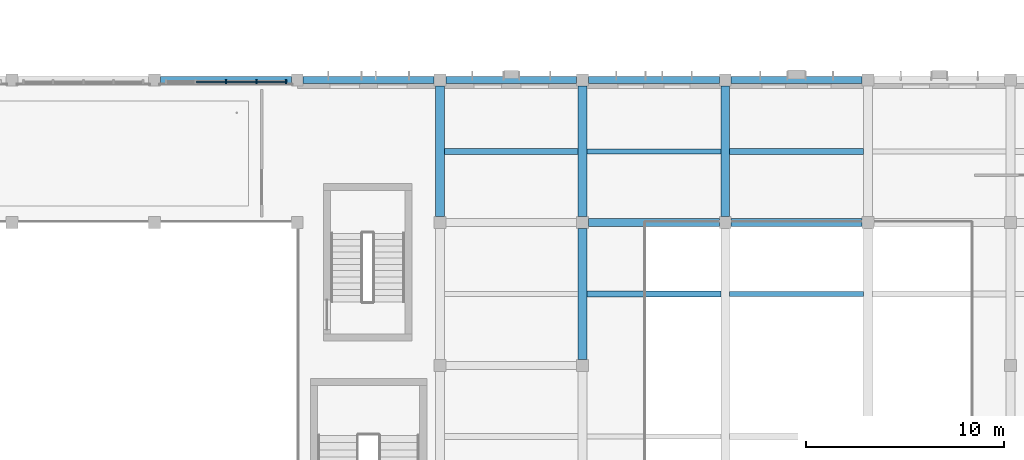
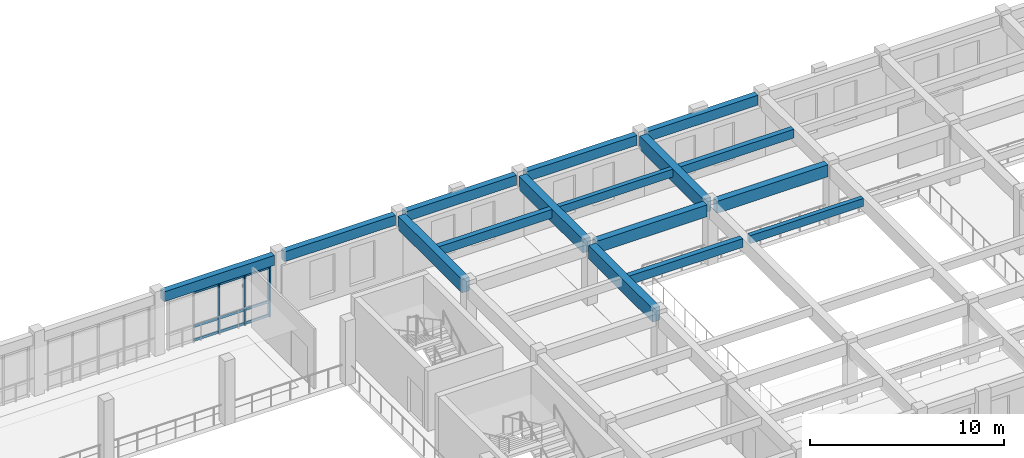
# One storey, part 14 of 88: 16 beams, 12 members, 1 element without a shape of its own.
"""IFC4 building model written with IfcOpenShell, lengths in metres."""

from ifc_helpers import new_model, si_unit, direction, frame, origin, origin_2d, place, context, subcontext, project, spatial, rectangle, extrude, material, material_profile, profile_set, type_object, element, aggregate, save


model = new_model("IFC4")

# Units and contexts
model_context = context("Model", 3, precision=1e-05, world=origin(), true_north=direction((0.0, 1.0)))
body_context = subcontext(model_context, "Body", "Model", "MODEL_VIEW")
ifc_project = project(units=[si_unit("LENGTHUNIT", "METRE"), si_unit("AREAUNIT", "SQUARE_METRE"), si_unit("VOLUMEUNIT", "CUBIC_METRE"), si_unit("PLANEANGLEUNIT", "RADIAN"), si_unit("MASSUNIT", "GRAM", prefix="KILO")], contexts=[model_context])

# Site, building, storey
site_placement = place(None, origin())
site = spatial("IfcSite", under=ifc_project, at=site_placement, CompositionType="ELEMENT")
building_placement = place(site_placement, origin())
building = spatial("IfcBuilding", under=site, at=building_placement, Name="Alvorim Cloister Faculty of Sciences", CompositionType="ELEMENT")
storey_placement = place(building_placement, frame((0.0, 0.0, 4.5)))
storey = spatial("IfcBuildingStorey", under=building, at=storey_placement, Name="L01", CompositionType="ELEMENT", Elevation=4.5)

# Beams
ifc_material_1 = material(Name="Concrete C40", Category="concrete")
ifc_material_profile_1 = material_profile(ifc_material_1, rectangle(XDim=0.260009765625, YDim=0.5, at=origin_2d()), Name="RC40-JST-260x500")
ifc_profile_set_1 = profile_set([ifc_material_profile_1], Name="Concrete C40")
beam_type_1 = type_object("IfcBeamType", Name="BM-JST-RC-260x500", PredefinedType="JOIST", material=ifc_profile_set_1)
for number, where, z_axis, x_axis, name in (
    (1, (115.425048828125, 25.199951171875, 3.5400390625), (1.0, 0.0, 0.0), (0.0, 1.0, 0.0), "L01 Secondary Floor Joist BM-1217"),
    (2, (122.625, 18.0, 3.5400390625), (1.0, 0.0, 0.0), (0.0, 1.0, 0.0), "L01 Secondary Floor Joist BM-1220"),
):
    element("IfcBeam", number, at=place(storey_placement, frame(where, z_axis=z_axis, x_axis=x_axis)), inside=storey, type_object=beam_type_1, Name=name, PredefinedType="JOIST", context=body_context, shape_type="SweptSolid", body=[
        extrude(rectangle(XDim=0.260009765625, YDim=0.5, at=origin_2d()), origin(), (0.0, 0.0, 1.0), 6.75),
    ])
ifc_material_profile_2 = material_profile(ifc_material_1, rectangle(XDim=0.300048828125, YDim=0.550048828125, at=origin_2d()), Name="RC40-JST-300x550")
ifc_profile_set_2 = profile_set([ifc_material_profile_2], Name="Concrete C40")
beam_type_2 = type_object("IfcBeamType", Name="BM-JST-RC-300x550", PredefinedType="JOIST", material=ifc_profile_set_2)
for number, where, z_axis, x_axis, name in (
    (3, (108.22509765625, 25.199951171875, 3.514892578125), (1.0, 0.0, 0.0), (0.0, 1.0, 0.0), "L01 Secondary Floor Joist BM-1213"),
    (4, (115.425048828125, 18.0, 3.514892578125), (1.0, 0.0, 0.0), (0.0, 1.0, 0.0), "L01 Secondary Floor Joist BM-1216"),
    (5, (122.625, 25.199951171875, 3.514892578125), (1.0, 0.0, 0.0), (0.0, 1.0, 0.0), "L01 Secondary Floor Joist BM-1221"),
):
    element("IfcBeam", number, at=place(storey_placement, frame(where, z_axis=z_axis, x_axis=x_axis)), inside=storey, type_object=beam_type_2, Name=name, PredefinedType="JOIST", context=body_context, shape_type="SweptSolid", body=[
        extrude(rectangle(XDim=0.300048828125, YDim=0.550048828125, at=origin_2d()), origin(), (0.0, 0.0, 1.0), 6.75),
    ])
ifc_material_profile_3 = material_profile(ifc_material_1, rectangle(XDim=0.39990234375, YDim=0.75, at=origin_2d()), Name="RC40-BM-400x750")
ifc_profile_set_3 = profile_set([ifc_material_profile_3], Name="Concrete C40")
beam_type_3 = type_object("IfcBeamType", Name="BM-RC-400x750", PredefinedType="BEAM", material=ifc_profile_set_3)
for number, where, z_axis, x_axis, name in (
    (6, (115.5, 21.60009765625, 3.4150390625), (1.0, 0.0, 0.0), (0.0, 1.0, 0.0), "L01 Primary Beam BM-0939"),
    (7, (122.699951171875, 21.60009765625, 3.4150390625), (1.0, 0.0, 0.0), (0.0, 1.0, 0.0), "L01 Primary Beam BM-0940"),
):
    element("IfcBeam", number, at=place(storey_placement, frame(where, z_axis=z_axis, x_axis=x_axis)), inside=storey, type_object=beam_type_3, Name=name, PredefinedType="BEAM", context=body_context, shape_type="SweptSolid", body=[
        extrude(rectangle(XDim=0.39990234375, YDim=0.75, at=origin_2d()), origin(), (0.0, 0.0, 1.0), 6.60009765625),
    ])
ifc_material_profile_4 = material_profile(ifc_material_1, rectangle(XDim=0.449951171875, YDim=0.85009765625, at=origin_2d()), Name="RC40-BM-450x850")
ifc_profile_set_4 = profile_set([ifc_material_profile_4], Name="Concrete C40")
beam_type_4 = type_object("IfcBeamType", Name="BM-RC-450x850", PredefinedType="BEAM", material=ifc_profile_set_4)
for number, where, z_axis, x_axis, name in (
    (8, (108.0, 21.89990234375, 3.364990234375), (0.0, 1.0, 0.0), (-1.0, 0.0, 0.0), "L01 Primary Girder BM-1115"),
    (9, (115.199951171875, 14.699951171875, 3.364990234375), (0.0, 1.0, 0.0), (-1.0, 0.0, 0.0), "L01 Primary Girder BM-1118"),
    (10, (115.199951171875, 21.89990234375, 3.364990234375), (0.0, 1.0, 0.0), (-1.0, 0.0, 0.0), "L01 Primary Girder BM-1119"),
    (11, (122.39990234375, 21.89990234375, 3.364990234375), (0.0, 1.0, 0.0), (-1.0, 0.0, 0.0), "L01 Primary Girder BM-1122"),
):
    element("IfcBeam", number, at=place(storey_placement, frame(where, z_axis=z_axis, x_axis=x_axis)), inside=storey, type_object=beam_type_4, Name=name, PredefinedType="BEAM", context=body_context, shape_type="SweptSolid", body=[
        extrude(rectangle(XDim=0.449951171875, YDim=0.85009765625, at=origin_2d()), origin(), (0.0, 0.0, 1.0), 6.60009765625),
    ])
ifc_material_profile_5 = material_profile(ifc_material_1, rectangle(XDim=0.35009765625, YDim=0.6201171875, at=origin_2d()), Name="RC40-SPD-350x620")
ifc_profile_set_5 = profile_set([ifc_material_profile_5], Name="Concrete C40")
beam_type_5 = type_object("IfcBeamType", Name="BM-SPD-RC-350x620", PredefinedType="SPANDREL", material=ifc_profile_set_5)
beam_placement = place(storey_placement, frame((93.89990234375, 28.800048828125, 3.47998046875), z_axis=(1.0, 0.0, 0.0), x_axis=(0.0, 1.0, 0.0)))
element("IfcBeam", 12, at=beam_placement, inside=storey, type_object=beam_type_5, Name="L01 Primary Beam BM-0953", PredefinedType="SPANDREL", context=body_context, shape_type="SweptSolid", body=[
    extrude(rectangle(XDim=0.35009765625, YDim=0.6201171875, at=origin_2d()), origin(), (0.0, 0.0, 1.0), 6.60009765625),
])
for number, where, z_axis, x_axis, name in (
    (13, (101.10009765625, 28.800048828125, 3.47998046875), (1.0, 0.0, 0.0), (0.0, 1.0, 0.0), "L01 Primary Beam BM-0954"),
    (14, (108.300048828125, 28.800048828125, 3.47998046875), (1.0, 0.0, 0.0), (0.0, 1.0, 0.0), "L01 Primary Beam BM-0955"),
):
    element("IfcBeam", number, at=place(storey_placement, frame(where, z_axis=z_axis, x_axis=x_axis)), inside=storey, type_object=beam_type_5, Name=name, PredefinedType="SPANDREL", context=body_context, shape_type="SweptSolid", body=[
        extrude(rectangle(XDim=0.35009765625, YDim=0.6201171875, at=origin_2d()), origin(), (0.0, 0.0, 1.0), 6.599853515625),
    ])
for number, where, z_axis, x_axis, name in (
    (15, (115.5, 28.800048828125, 3.47998046875), (1.0, 0.0, 0.0), (0.0, 1.0, 0.0), "L01 Primary Beam BM-0956"),
    (16, (122.699951171875, 28.800048828125, 3.47998046875), (1.0, 0.0, 0.0), (0.0, 1.0, 0.0), "L01 Primary Beam BM-0957"),
):
    element("IfcBeam", number, at=place(storey_placement, frame(where, z_axis=z_axis, x_axis=x_axis)), inside=storey, type_object=beam_type_5, Name=name, PredefinedType="SPANDREL", context=body_context, shape_type="SweptSolid", body=[
        extrude(rectangle(XDim=0.35009765625, YDim=0.6201171875, at=origin_2d()), origin(), (0.0, 0.0, 1.0), 6.60009765625),
    ])

# Curtain wall, members
ifc_material_2 = material(Name="Aluminium and Low-E Glass Curtain Wall", Category="aluminium")
curtain_wall_type = type_object("IfcCurtainWallType", Name="CW-GLZ-6120x3170", PredefinedType="USERDEFINED", material=ifc_material_2)
curtain_wall_placement = place(storey_placement, origin())
curtain_wall = element("IfcCurtainWall", 17, at=curtain_wall_placement, inside=storey, type_object=curtain_wall_type, Name="L01 Entrance and Atrium Glazed Curtain Wall CW-0036", ObjectType="UNITISED CURTAIN WALL", PredefinedType="USERDEFINED")
ifc_material_3 = material(Name="Aluminium Alloy 6063-T6", Category="aluminium")
ifc_material_profile_6 = material_profile(ifc_material_3, rectangle(XDim=0.074951171875, YDim=0.219970703125, at=origin_2d()), Name="ALU-MUL-75x220")
ifc_profile_set_6 = profile_set([ifc_material_profile_6], Name="Aluminium Alloy 6063-T6")
member_type_1 = type_object("IfcMemberType", Name="CW-MUL-75x220", PredefinedType="MULLION", material=ifc_profile_set_6)
member_1_placement = place(storey_placement, frame((97.199951171875, 28.7099609375, 0.0), z_axis=(0.0, 0.0, 1.0), x_axis=(1.0, 0.0, 0.0)))
member_1 = element("IfcMember", 18, at=member_1_placement, type_object=member_type_1, Name="CW-04 mullion 3", PredefinedType="MULLION", context=body_context, shape_type="SweptSolid", body=[
    extrude(rectangle(XDim=0.074951171875, YDim=0.219970703125, at=origin_2d()), origin(), (0.0, 0.0, 1.0), 3.169921875),
])
member_2_placement = place(storey_placement, frame((98.72998046875, 28.7099609375, 0.0), z_axis=(0.0, 0.0, 1.0), x_axis=(1.0, 0.0, 0.0)))
member_2 = element("IfcMember", 19, at=member_2_placement, type_object=member_type_1, Name="CW-04 mullion 4", PredefinedType="MULLION", context=body_context, shape_type="SweptSolid", body=[
    extrude(rectangle(XDim=0.074951171875, YDim=0.219970703125, at=origin_2d()), origin(), (0.0, 0.0, 1.0), 3.169921875),
])
member_3_placement = place(storey_placement, frame((100.222412109375, 28.7099609375, 0.0), z_axis=(0.0, 0.0, 1.0), x_axis=(1.0, 0.0, 0.0)))
member_3 = element("IfcMember", 20, at=member_3_placement, type_object=member_type_1, Name="CW-04 mullion 5", PredefinedType="MULLION", context=body_context, shape_type="SweptSolid", body=[
    extrude(rectangle(XDim=0.074951171875, YDim=0.219970703125, at=origin_2d()), origin(), (0.0, 0.0, 1.0), 3.169921875),
])
ifc_material_profile_7 = material_profile(ifc_material_3, rectangle(XDim=0.074951171875, YDim=0.159912109375, at=origin_2d()), Name="ALU-TRN-75x160")
ifc_profile_set_7 = profile_set([ifc_material_profile_7], Name="Aluminium Alloy 6063-T6")
member_type_2 = type_object("IfcMemberType", Name="CW-TRN-75x160", PredefinedType="USERDEFINED", material=ifc_profile_set_7)
member_4_placement = place(storey_placement, frame((95.70751953125, 28.7099609375, 0.080078125), z_axis=(1.0, 0.0, 0.0), x_axis=(0.0, 1.0, 0.0)))
member_4 = element("IfcMember", 21, at=member_4_placement, type_object=member_type_2, Name="CW-04 transom 2.1", ObjectType="TRANSOM", PredefinedType="USERDEFINED", context=body_context, shape_type="SweptSolid", body=[
    extrude(rectangle(XDim=0.074951171875, YDim=0.159912109375, at=origin_2d()), origin(), (0.0, 0.0, 1.0), 1.455078125),
])
member_5_placement = place(storey_placement, frame((95.70751953125, 28.7099609375, 0.949951171875), z_axis=(1.0, 0.0, 0.0), x_axis=(0.0, 1.0, 0.0)))
member_5 = element("IfcMember", 22, at=member_5_placement, type_object=member_type_2, Name="CW-04 transom 2.2", ObjectType="TRANSOM", PredefinedType="USERDEFINED", context=body_context, shape_type="SweptSolid", body=[
    extrude(rectangle(XDim=0.074951171875, YDim=0.159912109375, at=origin_2d()), origin(), (0.0, 0.0, 1.0), 1.455078125),
])
member_6_placement = place(storey_placement, frame((95.70751953125, 28.7099609375, 3.090087890625), z_axis=(1.0, 0.0, 0.0), x_axis=(0.0, 1.0, 0.0)))
member_6 = element("IfcMember", 23, at=member_6_placement, type_object=member_type_2, Name="CW-04 transom 2.3", ObjectType="TRANSOM", PredefinedType="USERDEFINED", context=body_context, shape_type="SweptSolid", body=[
    extrude(rectangle(XDim=0.074951171875, YDim=0.159912109375, at=origin_2d()), origin(), (0.0, 0.0, 1.0), 1.455078125),
])
member_7_placement = place(storey_placement, frame((97.237548828125, 28.7099609375, 0.080078125), z_axis=(1.0, 0.0, 0.0), x_axis=(0.0, 1.0, 0.0)))
member_7 = element("IfcMember", 24, at=member_7_placement, type_object=member_type_2, Name="CW-04 transom 3.1", ObjectType="TRANSOM", PredefinedType="USERDEFINED", context=body_context, shape_type="SweptSolid", body=[
    extrude(rectangle(XDim=0.074951171875, YDim=0.159912109375, at=origin_2d()), origin(), (0.0, 0.0, 1.0), 1.454833984375),
])
member_8_placement = place(storey_placement, frame((97.237548828125, 28.7099609375, 0.949951171875), z_axis=(1.0, 0.0, 0.0), x_axis=(0.0, 1.0, 0.0)))
member_8 = element("IfcMember", 25, at=member_8_placement, type_object=member_type_2, Name="CW-04 transom 3.2", ObjectType="TRANSOM", PredefinedType="USERDEFINED", context=body_context, shape_type="SweptSolid", body=[
    extrude(rectangle(XDim=0.074951171875, YDim=0.159912109375, at=origin_2d()), origin(), (0.0, 0.0, 1.0), 1.454833984375),
])
member_9_placement = place(storey_placement, frame((97.237548828125, 28.7099609375, 3.090087890625), z_axis=(1.0, 0.0, 0.0), x_axis=(0.0, 1.0, 0.0)))
member_9 = element("IfcMember", 26, at=member_9_placement, type_object=member_type_2, Name="CW-04 transom 3.3", ObjectType="TRANSOM", PredefinedType="USERDEFINED", context=body_context, shape_type="SweptSolid", body=[
    extrude(rectangle(XDim=0.074951171875, YDim=0.159912109375, at=origin_2d()), origin(), (0.0, 0.0, 1.0), 1.454833984375),
])
member_10_placement = place(storey_placement, frame((98.767578125, 28.7099609375, 0.080078125), z_axis=(1.0, 0.0, 0.0), x_axis=(0.0, 1.0, 0.0)))
member_10 = element("IfcMember", 27, at=member_10_placement, type_object=member_type_2, Name="CW-04 transom 4.1", ObjectType="TRANSOM", PredefinedType="USERDEFINED", context=body_context, shape_type="SweptSolid", body=[
    extrude(rectangle(XDim=0.074951171875, YDim=0.159912109375, at=origin_2d()), origin(), (0.0, 0.0, 1.0), 1.41748046875),
])
member_11_placement = place(storey_placement, frame((98.767578125, 28.7099609375, 0.949951171875), z_axis=(1.0, 0.0, 0.0), x_axis=(0.0, 1.0, 0.0)))
member_11 = element("IfcMember", 28, at=member_11_placement, type_object=member_type_2, Name="CW-04 transom 4.2", ObjectType="TRANSOM", PredefinedType="USERDEFINED", context=body_context, shape_type="SweptSolid", body=[
    extrude(rectangle(XDim=0.074951171875, YDim=0.159912109375, at=origin_2d()), origin(), (0.0, 0.0, 1.0), 1.41748046875),
])
member_12_placement = place(storey_placement, frame((98.767578125, 28.7099609375, 3.090087890625), z_axis=(1.0, 0.0, 0.0), x_axis=(0.0, 1.0, 0.0)))
member_12 = element("IfcMember", 29, at=member_12_placement, type_object=member_type_2, Name="CW-04 transom 4.3", ObjectType="TRANSOM", PredefinedType="USERDEFINED", context=body_context, shape_type="SweptSolid", body=[
    extrude(rectangle(XDim=0.074951171875, YDim=0.159912109375, at=origin_2d()), origin(), (0.0, 0.0, 1.0), 1.41748046875),
])
aggregate(curtain_wall, [member_1, member_2, member_3, member_4, member_5, member_6, member_7, member_8, member_9, member_10, member_11, member_12])

save(model, "model.ifc")
